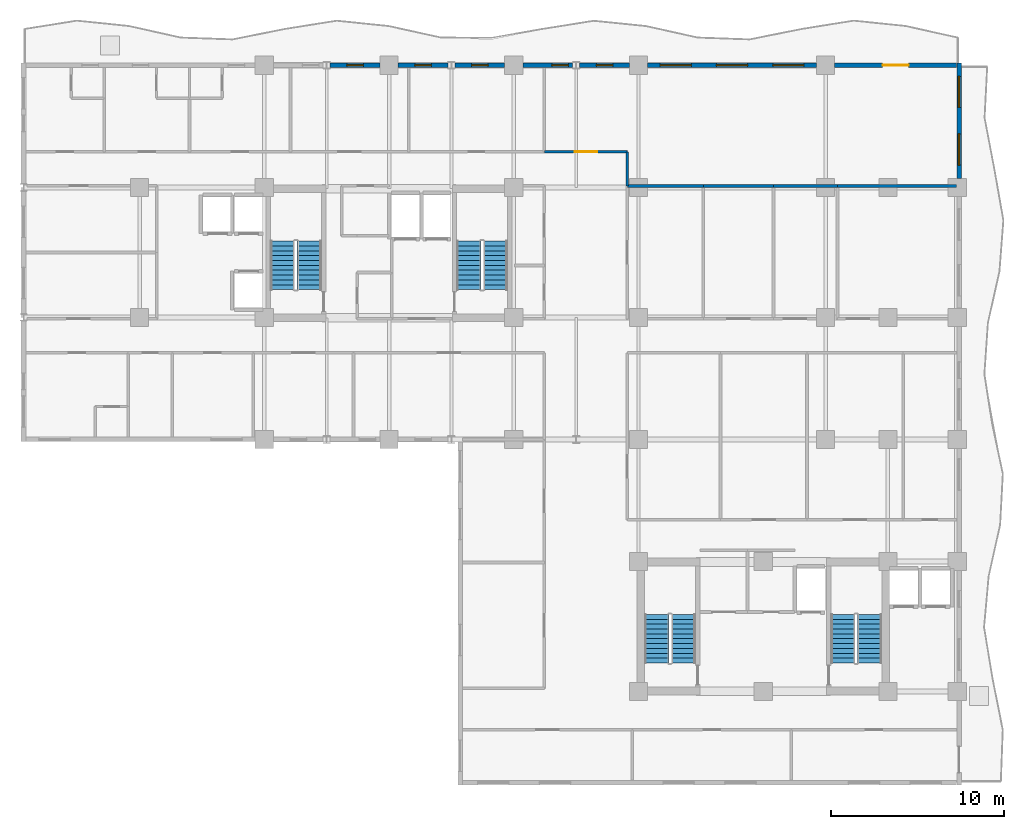
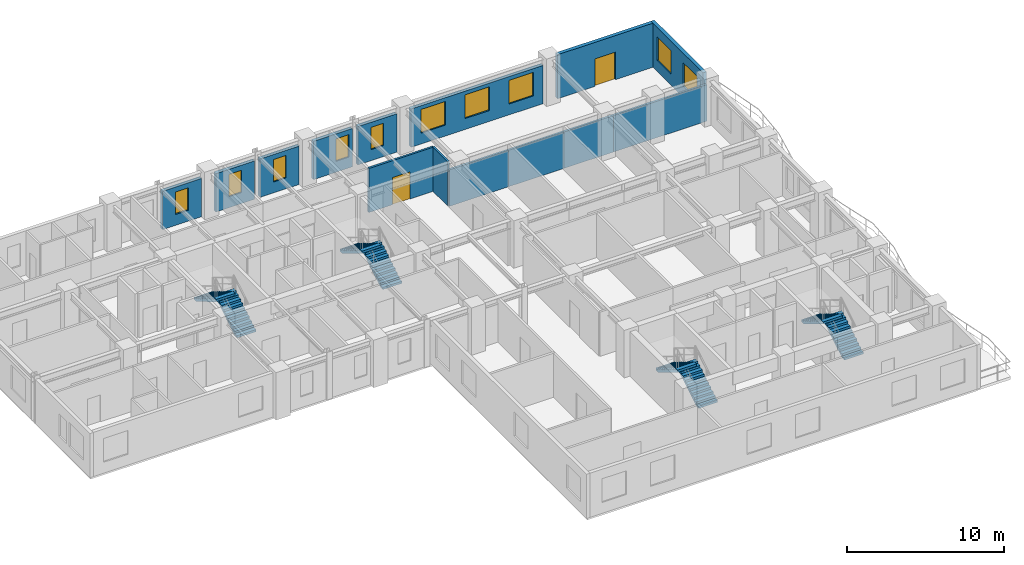
# One storey, part 9 of 13: 14 walls, 10 windows, 8 stair flights, 2 doors, 12 openings, 4 elements without a shape of their own.
"""IFC4 building model written with IfcOpenShell, lengths in metres."""

import ifcopenshell
import ifcopenshell.guid

model = None  # the IFC model being written
_history = None  # IfcOwnerHistory: only IFC2X3 demands one
_inside = {}  # id of a spatial element -> (the spatial element, [elements in it])
_under = {}  # id of a project, library or spatial element -> (it, [spatial elements below it])
_declared = {}  # id of a project -> (the project, [libraries it declares])
_typed = {}  # id of a type object -> (the type object, [elements of that type])
_made_of = {}  # id of a material, layer set ... -> (it, [elements and type objects made of it])


def new_model(schema):
    """Start an empty IFC model of exactly this schema.

    Asked for "IFC4X3", IfcOpenShell would pick the latest addendum, in which some entities
    have other attributes; the version numbers below select the first issue.
    IFC2X3 requires an IfcOwnerHistory on every rooted entity: one is made here for all.
    """
    global model, _history
    if schema == "IFC4X3":
        model = ifcopenshell.file(schema_version=(4, 3, 0, 0))
    else:
        model = ifcopenshell.file(schema=schema)
    _inside.clear()
    _under.clear()
    _declared.clear()
    _typed.clear()
    _made_of.clear()
    _history = None
    if model.schema == "IFC2X3":
        org = make("IfcOrganization", Name="unknown")
        user = make(
            "IfcPersonAndOrganization",
            ThePerson=make("IfcPerson", FamilyName="unknown"),
            TheOrganization=org,
        )
        app = make(
            "IfcApplication",
            ApplicationDeveloper=org,
            Version="unknown",
            ApplicationFullName="unknown",
            ApplicationIdentifier="unknown",
        )
        _history = make(
            "IfcOwnerHistory",
            OwningUser=user,
            OwningApplication=app,
            ChangeAction="ADDED",
            CreationDate=0,
        )
    return model


def make(cls, **values):
    """One entity of the class cls with the attributes given. An attribute that is None is left unset."""
    return model.create_entity(
        cls, **{name: value for name, value in values.items() if value is not None}
    )


def rooted(cls, **values):
    """An entity with a GlobalId (a new one), such as an element, a storey or a relation."""
    return make(cls, GlobalId=ifcopenshell.guid.new(), OwnerHistory=_history, **values)


def si_unit(unit_type, name, prefix=None):
    """IfcSIUnit, for example si_unit("LENGTHUNIT", "METRE", prefix="MILLI")."""
    return make("IfcSIUnit", UnitType=unit_type, Prefix=prefix, Name=name)


def assignment(units):
    """IfcUnitAssignment: the units of a project."""
    return None if units is None else make("IfcUnitAssignment", Units=units)


def point(xyz):
    """IfcCartesianPoint."""
    return None if xyz is None else make("IfcCartesianPoint", Coordinates=xyz)


def direction(xyz):
    """IfcDirection."""
    return None if xyz is None else make("IfcDirection", DirectionRatios=xyz)


def frame(location, z_axis=None, x_axis=None):
    """IfcAxis2Placement3D, a coordinate frame: its origin and axes. An axis left out is left unset."""
    return make(
        "IfcAxis2Placement3D",
        Location=point(location),
        Axis=direction(z_axis),
        RefDirection=direction(x_axis),
    )


def frame_2d(location, x_axis=None):
    """IfcAxis2Placement2D, a coordinate frame in the plane: its origin and x axis."""
    return make(
        "IfcAxis2Placement2D", Location=point(location), RefDirection=direction(x_axis)
    )


def origin():
    """The frame at (0, 0, 0) with its axes left unset."""
    return frame((0.0, 0.0, 0.0))


def place(relative_to, where):
    """IfcLocalPlacement: puts the frame where relative to a parent placement (None: the world)."""
    return make(
        "IfcLocalPlacement", PlacementRelTo=relative_to, RelativePlacement=where
    )


def context(
    kind, dimensions, precision=None, world=None, true_north=None, identifier=None
):
    """IfcGeometricRepresentationContext, for example the 3D "Model" context."""
    return make(
        "IfcGeometricRepresentationContext",
        ContextIdentifier=identifier,
        ContextType=kind,
        CoordinateSpaceDimension=dimensions,
        Precision=precision,
        WorldCoordinateSystem=world,
        TrueNorth=true_north,
    )


def subcontext(parent, identifier, kind, view, scale=None):
    """IfcGeometricRepresentationSubContext, for example "Body" below "Model"."""
    return make(
        "IfcGeometricRepresentationSubContext",
        ContextIdentifier=identifier,
        ContextType=kind,
        ParentContext=parent,
        TargetScale=scale,
        TargetView=view,
    )


def project(units=None, contexts=None):
    """IfcProject with its units and contexts."""
    return rooted(
        "IfcProject",
        Name="project",
        RepresentationContexts=contexts,
        UnitsInContext=assignment(units),
    )


def spatial(cls, under=None, at=None, **own):
    """A site, building, storey or space (cls), placed at a placement, below another one or the project."""
    s = rooted(cls, ObjectPlacement=at, **own)
    if under is not None:
        _under.setdefault(under.id(), (under, []))[1].append(s)
    return s


def polyline(points):
    """IfcPolyline through the points."""
    return make("IfcPolyline", Points=[point(p) for p in points])


def profile(cls, at=None, kind="AREA", **sizes):
    """A parametric profile (cls). Its sizes go by their IFC names, for example OverallWidth=200.0."""
    return make(cls, ProfileType=kind, Position=at, **sizes)


def rectangle(**sizes):
    """IfcRectangleProfileDef."""
    return profile("IfcRectangleProfileDef", **sizes)


def outline(outer, holes=None, kind="AREA"):
    """IfcArbitraryClosedProfileDef: a profile drawn as a closed curve; with holes, ...WithVoids."""
    if holes is None:
        return make("IfcArbitraryClosedProfileDef", ProfileType=kind, OuterCurve=outer)
    return make(
        "IfcArbitraryProfileDefWithVoids",
        ProfileType=kind,
        OuterCurve=outer,
        InnerCurves=holes,
    )


def extrude(swept, where, along, depth):
    """IfcExtrudedAreaSolid: the profile swept, set in the frame where, extruded along a direction by depth."""
    return make(
        "IfcExtrudedAreaSolid",
        SweptArea=swept,
        Position=where,
        ExtrudedDirection=direction(along),
        Depth=depth,
    )


def shape(context_of_items, identifier, shape_type, items):
    """IfcShapeRepresentation: the items that make up one representation, for example the "Body"."""
    return make(
        "IfcShapeRepresentation",
        ContextOfItems=context_of_items,
        RepresentationIdentifier=identifier,
        RepresentationType=shape_type,
        Items=items,
    )


def material(Name=None, Category=None):
    """IfcMaterial."""
    return make("IfcMaterial", Name=Name, Category=Category)


def layer(
    of_material, thickness, ventilated=None, Name=None, Category=None, Priority=None
):
    """IfcMaterialLayer: one layer of a wall or slab, of a material (None: an air gap)."""
    return make(
        "IfcMaterialLayer",
        Material=of_material,
        LayerThickness=thickness,
        IsVentilated=ventilated,
        Name=Name,
        Category=Category,
        Priority=Priority,
    )


def layer_set(layers, Name=None):
    """IfcMaterialLayerSet."""
    return make("IfcMaterialLayerSet", MaterialLayers=layers, LayerSetName=Name)


def made_of(thing, what):
    """Note that an element or type object is made of a material, layer set ...; save() writes the relation."""
    if what is not None:
        _made_of.setdefault(what.id(), (what, []))[1].append(thing)
    return thing


def type_object(cls, material=None, **own):
    """A type object (cls), such as IfcWallType, which elements share."""
    return made_of(rooted(cls, **own), material)


def element(
    cls,
    number,
    at=None,
    inside=None,
    cuts=None,
    type_object=None,
    material=None,
    context=None,
    identifier="Body",
    shape_type=None,
    held_by="IfcProductDefinitionShape",
    body=None,
    shapes=None,
    **own,
):
    """One element of the class cls, such as IfcWall. Its Tag is "e" and its number.

    at: its placement. inside: the storey or other place that contains it. cuts: it is an
    opening in that element (IfcRelVoidsElement). A single representation is given by context,
    identifier, shape_type and body (its items); several are given by shapes. held_by: the class
    of the entity that holds the representations. save() writes the other relations.
    """
    e = rooted(cls, Tag="e%d" % number, ObjectPlacement=at, **own)
    if body is not None:
        shapes = [shape(context, identifier, shape_type, body)]
    if shapes is not None:
        e.Representation = make(held_by, Representations=shapes)
    if inside is not None:
        _inside.setdefault(inside.id(), (inside, []))[1].append(e)
    if cuts is not None:
        rooted(
            "IfcRelVoidsElement", RelatingBuildingElement=cuts, RelatedOpeningElement=e
        )
    if type_object is not None:
        _typed.setdefault(type_object.id(), (type_object, []))[1].append(e)
    return made_of(e, material)


def fill(opening, filler):
    """IfcRelFillsElement: the door or window that sits in an opening."""
    return rooted(
        "IfcRelFillsElement",
        RelatingOpeningElement=opening,
        RelatedBuildingElement=filler,
    )


def aggregate(whole, parts):
    """IfcRelAggregates: a whole, such as a stair, and the parts it consists of."""
    return rooted("IfcRelAggregates", RelatingObject=whole, RelatedObjects=parts)


def save(model, path):
    """Write the relations noted so far, then the file.

    IfcRelAggregates (storeys below a building ...), IfcRelContainedInSpatialStructure (elements
    in a storey), IfcRelDefinesByType, IfcRelAssociatesMaterial and IfcRelDeclares: one each for
    every whole, place, type object, material and project.
    """
    for whole, parts in _under.values():
        aggregate(whole, parts)
    for where, things in _inside.values():
        rooted(
            "IfcRelContainedInSpatialStructure",
            RelatedElements=things,
            RelatingStructure=where,
        )
    for kind, things in _typed.values():
        rooted("IfcRelDefinesByType", RelatedObjects=things, RelatingType=kind)
    for what, things in _made_of.values():
        rooted("IfcRelAssociatesMaterial", RelatedObjects=things, RelatingMaterial=what)
    for by, libraries in _declared.values():
        rooted("IfcRelDeclares", RelatingContext=by, RelatedDefinitions=libraries)
    model.write(path)


model = new_model("IFC4")

# Units and contexts
model_context = context("Model", 3, precision=1e-05, world=origin(), true_north=direction((0.0, 1.0)))
body_context = subcontext(model_context, "Body", "Model", "MODEL_VIEW")
ifc_project = project(units=[si_unit("LENGTHUNIT", "METRE"), si_unit("AREAUNIT", "SQUARE_METRE"), si_unit("VOLUMEUNIT", "CUBIC_METRE"), si_unit("PLANEANGLEUNIT", "RADIAN"), si_unit("MASSUNIT", "GRAM", prefix="KILO")], contexts=[model_context])

# Site, building, storey
site_placement = place(None, origin())
site = spatial("IfcSite", under=ifc_project, at=site_placement, CompositionType="ELEMENT")
building_placement = place(site_placement, origin())
building = spatial("IfcBuilding", under=site, at=building_placement, Name="Kaliganga Portal Commons", CompositionType="ELEMENT")
storey_placement = place(building_placement, frame((0.0, 0.0, 162.39990234375)))
storey = spatial("IfcBuildingStorey", under=building, at=storey_placement, Name="L41", CompositionType="ELEMENT", Elevation=162.39990234375)

# Wall, openings, windows
ifc_material_1 = material(Name="Insulated Aluminium-Clad Spandrel Assembly", Category="aluminium")
ifc_layer_1 = layer(ifc_material_1, 0.260009765625)
ifc_layer_set_1 = layer_set([ifc_layer_1], Name="Insulated Aluminium-Clad Spandrel Assembly")
wall_type_1 = type_object("IfcWallType", Name="WL-EXT-SPAND-260", PredefinedType="STANDARD", material=ifc_layer_set_1)
wall_1_placement = place(storey_placement, frame((54.5, 43.330078125, 0.0), z_axis=(0.0, 0.0, 1.0), x_axis=(0.0, -1.0, 0.0)))
wall_1 = element("IfcWall", 1, at=wall_1_placement, inside=storey, type_object=wall_type_1, Name="Exterior Envelope Wall L41 P1-E01-S6", PredefinedType="STANDARD", context=body_context, shape_type="SweptSolid", body=[
    extrude(rectangle(XDim=6.654052734375, YDim=0.260009765625, at=frame_2d((3.3271484375, 0.0))), origin(), (0.0, 0.0, 1.0), 3.440185546875),
])
opening_1_placement = place(wall_1_placement, frame((0.763427734375, 0.0, 0.85009765625)))
opening_1 = element("IfcOpeningElement", 2, at=opening_1_placement, cuts=wall_1, Name="Opening W-01", PredefinedType="OPENING", context=body_context, shape_type="SweptSolid", body=[
    extrude(rectangle(XDim=1.800048828125, YDim=1.85009765625, at=frame_2d((0.89990234375, 0.925048828125))), frame((0.0, 0.14013671875, 0.0), z_axis=(0.0, -1.0, 0.0), x_axis=(1.0, 0.0, 0.0)), (0.0, 0.0, 1.0), 0.280029296875),
])
opening_2_placement = place(wall_1_placement, frame((4.090576171875, 0.0, 0.85009765625)))
opening_2 = element("IfcOpeningElement", 3, at=opening_2_placement, cuts=wall_1, Name="Opening W-01", PredefinedType="OPENING", context=body_context, shape_type="SweptSolid", body=[
    extrude(rectangle(XDim=1.800048828125, YDim=1.85009765625, at=frame_2d((0.89990234375, 0.925048828125))), frame((0.0, 0.14013671875, 0.0), z_axis=(0.0, -1.0, 0.0), x_axis=(1.0, 0.0, 0.0)), (0.0, 0.0, 1.0), 0.280029296875),
])
ifc_material_2 = material(Name="Thermally Broken Aluminium and Low-E Double Glazing", Category="aluminium")
window_type_1 = type_object("IfcWindowType", Name="WIN-STD-1800", PartitioningType="DOUBLE_PANEL_VERTICAL", PredefinedType="WINDOW", material=ifc_material_2)
window_1_placement = place(opening_1_placement, origin())
window_1 = element("IfcWindow", 4, at=window_1_placement, inside=storey, type_object=window_type_1, Name="Facade Window L41-P1E01S6-00", OverallHeight=1.85009765625, OverallWidth=1.800048828125, PartitioningType="SINGLE_PANEL", PredefinedType="WINDOW", context=body_context, shape_type="SweptSolid", body=[
    extrude(rectangle(XDim=1.800048828125, YDim=1.85009765625, at=frame_2d((0.89990234375, 0.925048828125))), frame((0.0, 0.030029296875, 0.0), z_axis=(0.0, -1.0, 0.0), x_axis=(1.0, 0.0, 0.0)), (0.0, 0.0, 1.0), 0.06005859375),
])
fill(opening_1, window_1)
window_2_placement = place(opening_2_placement, origin())
window_2 = element("IfcWindow", 5, at=window_2_placement, inside=storey, type_object=window_type_1, Name="Facade Window L41-P1E01S6-01", OverallHeight=1.85009765625, OverallWidth=1.800048828125, PartitioningType="SINGLE_PANEL", PredefinedType="WINDOW", context=body_context, shape_type="SweptSolid", body=[
    extrude(rectangle(XDim=1.800048828125, YDim=1.85009765625, at=frame_2d((0.89990234375, 0.925048828125))), frame((0.0, 0.030029296875, 0.0), z_axis=(0.0, -1.0, 0.0), x_axis=(1.0, 0.0, 0.0)), (0.0, 0.0, 1.0), 0.06005859375),
])
fill(opening_2, window_2)

# Wall, opening, door
wall_2_placement = place(storey_placement, frame((47.325927734375, 43.199951171875, 0.0), z_axis=(0.0, 0.0, 1.0), x_axis=(1.0, 0.0, 0.0)))
wall_2 = element("IfcWall", 6, at=wall_2_placement, inside=storey, type_object=wall_type_1, Name="Exterior Envelope Wall L41 P1-E02-S1", PredefinedType="STANDARD", context=body_context, shape_type="SweptSolid", body=[
    extrude(rectangle(XDim=7.0390625, YDim=0.260009765625, at=frame_2d((3.51953125, 0.0))), origin(), (0.0, 0.0, 1.0), 3.440185546875),
])
opening_3_placement = place(wall_2_placement, frame((2.77001953125, 0.0, 0.0)))
opening_3 = element("IfcOpeningElement", 7, at=opening_3_placement, cuts=wall_2, Name="Opening BD-01", PredefinedType="OPENING", context=body_context, shape_type="SweptSolid", body=[
    extrude(rectangle(XDim=1.5, YDim=2.14990234375, at=frame_2d((0.75, 1.074951171875))), frame((0.0, 0.14013671875, 0.0), z_axis=(0.0, -1.0, 0.0), x_axis=(1.0, 0.0, 0.0)), (0.0, 0.0, 1.0), 0.280029296875),
])
ifc_material_3 = material(Name="Anodized Aluminium and Laminated Safety Glass", Category="aluminium")
door_type_1 = type_object("IfcDoorType", Name="DR-BALC-1500", OperationType="SLIDING_TO_LEFT", PredefinedType="DOOR", material=ifc_material_3)
door_1_placement = place(opening_3_placement, origin())
door_1 = element("IfcDoor", 8, at=door_1_placement, inside=storey, type_object=door_type_1, Name="Balcony Sliding Door L41 balc_north", OperationType="SLIDING_TO_LEFT", OverallHeight=2.14990234375, OverallWidth=1.5, PredefinedType="DOOR", context=body_context, shape_type="SweptSolid", body=[
    extrude(rectangle(XDim=1.5, YDim=2.14990234375, at=frame_2d((0.75, 1.074951171875))), frame((0.0, 0.02490234375, 0.0), z_axis=(0.0, -1.0, 0.0), x_axis=(1.0, 0.0, 0.0)), (0.0, 0.0, 1.0), 0.050048828125),
])
fill(opening_3, door_1)

# Wall, openings, windows
wall_3_placement = place(storey_placement, frame((36.52587890625, 43.199951171875, 0.0), z_axis=(0.0, 0.0, 1.0), x_axis=(1.0, 0.0, 0.0)))
wall_3 = element("IfcWall", 9, at=wall_3_placement, inside=storey, type_object=wall_type_1, Name="Exterior Envelope Wall L41 P1-E02-S2", PredefinedType="STANDARD", context=body_context, shape_type="SweptSolid", body=[
    extrude(rectangle(XDim=9.748046875, YDim=0.260009765625, at=frame_2d((4.8740234375, 0.0))), origin(), (0.0, 0.0, 1.0), 2.989990234375),
])
opening_4_placement = place(wall_3_placement, frame((0.724609375, 0.0, 0.85009765625)))
opening_4 = element("IfcOpeningElement", 10, at=opening_4_placement, cuts=wall_3, Name="Opening W-01", PredefinedType="OPENING", context=body_context, shape_type="SweptSolid", body=[
    extrude(rectangle(XDim=1.800048828125, YDim=1.85009765625, at=frame_2d((0.89990234375, 0.925048828125))), frame((0.0, 0.14013671875, 0.0), z_axis=(0.0, -1.0, 0.0), x_axis=(1.0, 0.0, 0.0)), (0.0, 0.0, 1.0), 0.280029296875),
])
opening_5_placement = place(wall_3_placement, frame((3.97412109375, 0.0, 0.85009765625)))
opening_5 = element("IfcOpeningElement", 11, at=opening_5_placement, cuts=wall_3, Name="Opening W-01", PredefinedType="OPENING", context=body_context, shape_type="SweptSolid", body=[
    extrude(rectangle(XDim=1.800048828125, YDim=1.85009765625, at=frame_2d((0.89990234375, 0.925048828125))), frame((0.0, 0.14013671875, 0.0), z_axis=(0.0, -1.0, 0.0), x_axis=(1.0, 0.0, 0.0)), (0.0, 0.0, 1.0), 0.280029296875),
])
opening_6_placement = place(wall_3_placement, frame((7.223388671875, 0.0, 0.85009765625)))
opening_6 = element("IfcOpeningElement", 12, at=opening_6_placement, cuts=wall_3, Name="Opening W-01", PredefinedType="OPENING", context=body_context, shape_type="SweptSolid", body=[
    extrude(rectangle(XDim=1.800048828125, YDim=1.85009765625, at=frame_2d((0.89990234375, 0.925048828125))), frame((0.0, 0.14013671875, 0.0), z_axis=(0.0, -1.0, 0.0), x_axis=(1.0, 0.0, 0.0)), (0.0, 0.0, 1.0), 0.280029296875),
])
window_3_placement = place(opening_4_placement, origin())
window_3 = element("IfcWindow", 13, at=window_3_placement, inside=storey, type_object=window_type_1, Name="Facade Window L41-P1E02S2-00", OverallHeight=1.85009765625, OverallWidth=1.800048828125, PartitioningType="SINGLE_PANEL", PredefinedType="WINDOW", context=body_context, shape_type="SweptSolid", body=[
    extrude(rectangle(XDim=1.800048828125, YDim=1.85009765625, at=frame_2d((0.89990234375, 0.925048828125))), frame((0.0, 0.030029296875, 0.0), z_axis=(0.0, -1.0, 0.0), x_axis=(1.0, 0.0, 0.0)), (0.0, 0.0, 1.0), 0.06005859375),
])
fill(opening_4, window_3)
window_4_placement = place(opening_5_placement, origin())
window_4 = element("IfcWindow", 14, at=window_4_placement, inside=storey, type_object=window_type_1, Name="Facade Window L41-P1E02S2-01", OverallHeight=1.85009765625, OverallWidth=1.800048828125, PartitioningType="SINGLE_PANEL", PredefinedType="WINDOW", context=body_context, shape_type="SweptSolid", body=[
    extrude(rectangle(XDim=1.800048828125, YDim=1.85009765625, at=frame_2d((0.89990234375, 0.925048828125))), frame((0.0, 0.030029296875, 0.0), z_axis=(0.0, -1.0, 0.0), x_axis=(1.0, 0.0, 0.0)), (0.0, 0.0, 1.0), 0.06005859375),
])
fill(opening_5, window_4)
window_5_placement = place(opening_6_placement, origin())
window_5 = element("IfcWindow", 15, at=window_5_placement, inside=storey, type_object=window_type_1, Name="Facade Window L41-P1E02S2-02", OverallHeight=1.85009765625, OverallWidth=1.800048828125, PartitioningType="SINGLE_PANEL", PredefinedType="WINDOW", context=body_context, shape_type="SweptSolid", body=[
    extrude(rectangle(XDim=1.800048828125, YDim=1.85009765625, at=frame_2d((0.89990234375, 0.925048828125))), frame((0.0, 0.030029296875, 0.0), z_axis=(0.0, -1.0, 0.0), x_axis=(1.0, 0.0, 0.0)), (0.0, 0.0, 1.0), 0.06005859375),
])
fill(opening_6, window_5)

# Wall, opening, window
wall_4_placement = place(storey_placement, frame((32.60302734375, 43.199951171875, 0.0), z_axis=(0.0, 0.0, 1.0), x_axis=(1.0, 0.0, 0.0)))
wall_4 = element("IfcWall", 16, at=wall_4_placement, inside=storey, type_object=wall_type_1, Name="Exterior Envelope Wall L41 P1-E02-S3", PredefinedType="STANDARD", context=body_context, shape_type="SweptSolid", body=[
    extrude(rectangle(XDim=2.87109375, YDim=0.260009765625, at=frame_2d((1.435546875, 0.0))), origin(), (0.0, 0.0, 1.0), 2.989990234375),
])
opening_7_placement = place(wall_4_placement, frame((0.96044921875, 0.0, 0.85009765625)))
opening_7 = element("IfcOpeningElement", 17, at=opening_7_placement, cuts=wall_4, Name="Opening W-04", PredefinedType="OPENING", context=body_context, shape_type="SweptSolid", body=[
    extrude(rectangle(XDim=0.949951171875, YDim=1.75, at=frame_2d((0.47509765625, 0.875))), frame((0.0, 0.14013671875, 0.0), z_axis=(0.0, -1.0, 0.0), x_axis=(1.0, 0.0, 0.0)), (0.0, 0.0, 1.0), 0.280029296875),
])
window_type_2 = type_object("IfcWindowType", Name="WIN-NARROW-950", PartitioningType="SINGLE_PANEL", PredefinedType="WINDOW", material=ifc_material_2)
window_6_placement = place(opening_7_placement, origin())
window_6 = element("IfcWindow", 18, at=window_6_placement, inside=storey, type_object=window_type_2, Name="Facade Window L41-P1E02S3-00", OverallHeight=1.75, OverallWidth=0.949951171875, PartitioningType="SINGLE_PANEL", PredefinedType="WINDOW", context=body_context, shape_type="SweptSolid", body=[
    extrude(rectangle(XDim=0.949951171875, YDim=1.75, at=frame_2d((0.47509765625, 0.875))), frame((0.0, 0.030029296875, 0.0), z_axis=(0.0, -1.0, 0.0), x_axis=(1.0, 0.0, 0.0)), (0.0, 0.0, 1.0), 0.06005859375),
])
fill(opening_7, window_6)

wall_5_placement = place(storey_placement, frame((29.325927734375, 43.199951171875, 0.0), z_axis=(0.0, 0.0, 1.0), x_axis=(1.0, 0.0, 0.0)))
wall_5 = element("IfcWall", 19, at=wall_5_placement, inside=storey, type_object=wall_type_1, Name="Exterior Envelope Wall L41 P1-E02-S4", PredefinedType="STANDARD", context=body_context, shape_type="SweptSolid", body=[
    extrude(rectangle(XDim=2.87109375, YDim=0.260009765625, at=frame_2d((1.435546875, 0.0))), origin(), (0.0, 0.0, 1.0), 2.989990234375),
])
opening_8_placement = place(wall_5_placement, frame((1.672607421875, 0.0, 0.85009765625)))
opening_8 = element("IfcOpeningElement", 20, at=opening_8_placement, cuts=wall_5, Name="Opening W-04", PredefinedType="OPENING", context=body_context, shape_type="SweptSolid", body=[
    extrude(rectangle(XDim=0.949951171875, YDim=1.75, at=frame_2d((0.47509765625, 0.875))), frame((0.0, 0.14013671875, 0.0), z_axis=(0.0, -1.0, 0.0), x_axis=(1.0, 0.0, 0.0)), (0.0, 0.0, 1.0), 0.280029296875),
])
window_7_placement = place(opening_8_placement, origin())
window_7 = element("IfcWindow", 21, at=window_7_placement, inside=storey, type_object=window_type_2, Name="Facade Window L41-P1E02S4-N2", OverallHeight=1.75, OverallWidth=0.949951171875, PartitioningType="SINGLE_PANEL", PredefinedType="WINDOW", context=body_context, shape_type="SweptSolid", body=[
    extrude(rectangle(XDim=0.949951171875, YDim=1.75, at=frame_2d((0.47509765625, 0.875))), frame((0.0, 0.030029296875, 0.0), z_axis=(0.0, -1.0, 0.0), x_axis=(1.0, 0.0, 0.0)), (0.0, 0.0, 1.0), 0.06005859375),
])
fill(opening_8, window_7)

wall_6_placement = place(storey_placement, frame((25.403076171875, 43.199951171875, 0.0), z_axis=(0.0, 0.0, 1.0), x_axis=(1.0, 0.0, 0.0)))
wall_6 = element("IfcWall", 22, at=wall_6_placement, inside=storey, type_object=wall_type_1, Name="Exterior Envelope Wall L41 P1-E02-S5", PredefinedType="STANDARD", context=body_context, shape_type="SweptSolid", body=[
    extrude(rectangle(XDim=2.870849609375, YDim=0.260009765625, at=frame_2d((1.435546875, 0.0))), origin(), (0.0, 0.0, 1.0), 2.989990234375),
])
opening_9_placement = place(wall_6_placement, frame((0.96044921875, 0.0, 0.85009765625)))
opening_9 = element("IfcOpeningElement", 23, at=opening_9_placement, cuts=wall_6, Name="Opening W-04", PredefinedType="OPENING", context=body_context, shape_type="SweptSolid", body=[
    extrude(rectangle(XDim=0.949951171875, YDim=1.75, at=frame_2d((0.47509765625, 0.875))), frame((0.0, 0.14013671875, 0.0), z_axis=(0.0, -1.0, 0.0), x_axis=(1.0, 0.0, 0.0)), (0.0, 0.0, 1.0), 0.280029296875),
])
window_8_placement = place(opening_9_placement, origin())
window_8 = element("IfcWindow", 24, at=window_8_placement, inside=storey, type_object=window_type_2, Name="Facade Window L41-P1E02S5-00", OverallHeight=1.75, OverallWidth=0.949951171875, PartitioningType="SINGLE_PANEL", PredefinedType="WINDOW", context=body_context, shape_type="SweptSolid", body=[
    extrude(rectangle(XDim=0.949951171875, YDim=1.75, at=frame_2d((0.47509765625, 0.875))), frame((0.0, 0.030029296875, 0.0), z_axis=(0.0, -1.0, 0.0), x_axis=(1.0, 0.0, 0.0)), (0.0, 0.0, 1.0), 0.06005859375),
])
fill(opening_9, window_8)

wall_7_placement = place(storey_placement, frame((22.1259765625, 43.199951171875, 0.0), z_axis=(0.0, 0.0, 1.0), x_axis=(1.0, 0.0, 0.0)))
wall_7 = element("IfcWall", 25, at=wall_7_placement, inside=storey, type_object=wall_type_1, Name="Exterior Envelope Wall L41 P1-E02-S6", PredefinedType="STANDARD", context=body_context, shape_type="SweptSolid", body=[
    extrude(rectangle(XDim=2.87109375, YDim=0.260009765625, at=frame_2d((1.435546875, 0.0))), origin(), (0.0, 0.0, 1.0), 2.989990234375),
])
opening_10_placement = place(wall_7_placement, frame((0.96044921875, 0.0, 0.85009765625)))
opening_10 = element("IfcOpeningElement", 26, at=opening_10_placement, cuts=wall_7, Name="Opening W-04", PredefinedType="OPENING", context=body_context, shape_type="SweptSolid", body=[
    extrude(rectangle(XDim=0.949951171875, YDim=1.75, at=frame_2d((0.47509765625, 0.875))), frame((0.0, 0.14013671875, 0.0), z_axis=(0.0, -1.0, 0.0), x_axis=(1.0, 0.0, 0.0)), (0.0, 0.0, 1.0), 0.280029296875),
])
window_9_placement = place(opening_10_placement, origin())
window_9 = element("IfcWindow", 27, at=window_9_placement, inside=storey, type_object=window_type_2, Name="Facade Window L41-P1E02S6-00", OverallHeight=1.75, OverallWidth=0.949951171875, PartitioningType="SINGLE_PANEL", PredefinedType="WINDOW", context=body_context, shape_type="SweptSolid", body=[
    extrude(rectangle(XDim=0.949951171875, YDim=1.75, at=frame_2d((0.47509765625, 0.875))), frame((0.0, 0.030029296875, 0.0), z_axis=(0.0, -1.0, 0.0), x_axis=(1.0, 0.0, 0.0)), (0.0, 0.0, 1.0), 0.06005859375),
])
fill(opening_10, window_9)

wall_8_placement = place(storey_placement, frame((18.202880859375, 43.199951171875, 0.0), z_axis=(0.0, 0.0, 1.0), x_axis=(1.0, 0.0, 0.0)))
wall_8 = element("IfcWall", 28, at=wall_8_placement, inside=storey, type_object=wall_type_1, Name="Exterior Envelope Wall L41 P1-E02-S7", PredefinedType="STANDARD", context=body_context, shape_type="SweptSolid", body=[
    extrude(rectangle(XDim=2.87109375, YDim=0.260009765625, at=frame_2d((1.435546875, 0.0))), origin(), (0.0, 0.0, 1.0), 2.989990234375),
])
opening_11_placement = place(wall_8_placement, frame((0.96044921875, 0.0, 0.85009765625)))
opening_11 = element("IfcOpeningElement", 29, at=opening_11_placement, cuts=wall_8, Name="Opening W-04", PredefinedType="OPENING", context=body_context, shape_type="SweptSolid", body=[
    extrude(rectangle(XDim=0.949951171875, YDim=1.75, at=frame_2d((0.47509765625, 0.875))), frame((0.0, 0.14013671875, 0.0), z_axis=(0.0, -1.0, 0.0), x_axis=(1.0, 0.0, 0.0)), (0.0, 0.0, 1.0), 0.280029296875),
])
window_10_placement = place(opening_11_placement, origin())
window_10 = element("IfcWindow", 30, at=window_10_placement, inside=storey, type_object=window_type_2, Name="Facade Window L41-P1E02S7-00", OverallHeight=1.75, OverallWidth=0.949951171875, PartitioningType="SINGLE_PANEL", PredefinedType="WINDOW", context=body_context, shape_type="SweptSolid", body=[
    extrude(rectangle(XDim=0.949951171875, YDim=1.75, at=frame_2d((0.47509765625, 0.875))), frame((0.0, 0.030029296875, 0.0), z_axis=(0.0, -1.0, 0.0), x_axis=(1.0, 0.0, 0.0)), (0.0, 0.0, 1.0), 0.06005859375),
])
fill(opening_11, window_10)

# Wall, opening, door
ifc_material_4 = material(Name="Fire-Rated Gypsum Board on Steel Stud", Category="steel")
ifc_layer_2 = layer(ifc_material_4, 0.14990234375)
ifc_layer_set_2 = layer_set([ifc_layer_2], Name="Fire-Rated Gypsum Board on Steel Stud")
wall_type_2 = type_object("IfcWallType", Name="WL-PART-CORR-150", PredefinedType="PARTITIONING", material=ifc_layer_set_2)
wall_9_placement = place(storey_placement, frame((30.56005859375, 38.199951171875, 0.0), z_axis=(0.0, 0.0, 1.0), x_axis=(1.0, 0.0, 0.0)))
wall_9 = element("IfcWall", 31, at=wall_9_placement, inside=storey, type_object=wall_type_2, Name="Interior Partition L41-040", PredefinedType="PARTITIONING", context=body_context, shape_type="SweptSolid", body=[
    extrude(rectangle(XDim=4.800048828125, YDim=0.14990234375, at=frame_2d((2.39990234375, 0.0))), origin(), (0.0, 0.0, 1.0), 3.440185546875),
])
opening_12_placement = place(wall_9_placement, frame((1.75, 0.0, 0.0)))
opening_12 = element("IfcOpeningElement", 32, at=opening_12_placement, cuts=wall_9, Name="Opening RD-03", PredefinedType="OPENING", context=body_context, shape_type="SweptSolid", body=[
    extrude(rectangle(XDim=1.300048828125, YDim=2.1201171875, at=frame_2d((0.64990234375, 1.06005859375))), frame((0.0, 0.0849609375, 0.0), z_axis=(0.0, -1.0, 0.0), x_axis=(1.0, 0.0, 0.0)), (0.0, 0.0, 1.0), 0.169921875),
])
ifc_material_5 = material(Name="Glazed Timber Seminar Vision Door", Category="wood")
door_type_2 = type_object("IfcDoorType", Name="DR-STUDY-1300", OperationType="DOUBLE_DOOR_SINGLE_SWING", PredefinedType="DOOR", material=ifc_material_5)
door_2_placement = place(opening_12_placement, origin())
door_2 = element("IfcDoor", 33, at=door_2_placement, inside=storey, type_object=door_type_2, Name="Interior Door L41-ANE01", OperationType="DOUBLE_DOOR_SINGLE_SWING", OverallHeight=2.1201171875, OverallWidth=1.300048828125, PredefinedType="DOOR", context=body_context, shape_type="SweptSolid", body=[
    extrude(rectangle(XDim=1.300048828125, YDim=2.1201171875, at=frame_2d((0.64990234375, 1.06005859375))), frame((0.0, 0.02490234375, 0.0), z_axis=(0.0, -1.0, 0.0), x_axis=(1.0, 0.0, 0.0)), (0.0, 0.0, 1.0), 0.050048828125),
])
fill(opening_12, door_2)

# Walls
wall_10_placement = place(storey_placement, frame((35.360107421875, 36.239990234375, 0.0), z_axis=(0.0, 0.0, 1.0), x_axis=(0.0, 1.0, 0.0)))
element("IfcWall", 34, at=wall_10_placement, inside=storey, type_object=wall_type_2, Name="Interior Partition L41-063", PredefinedType="PARTITIONING", context=body_context, shape_type="SweptSolid", body=[
    extrude(rectangle(XDim=1.9599609375, YDim=0.14990234375, at=frame_2d((0.97998046875, 0.0))), origin(), (0.0, 0.0, 1.0), 3.440185546875),
])
ifc_material_6 = material(Name="Twin-Stud Acoustic Gypsum Partition", Category="gypsum")
ifc_layer_3 = layer(ifc_material_6, 0.1650390625)
ifc_layer_set_3 = layer_set([ifc_layer_3], Name="Twin-Stud Acoustic Gypsum Partition")
wall_type_3 = type_object("IfcWallType", Name="WL-PART-UNIT-165", PredefinedType="PARTITIONING", material=ifc_layer_set_3)
wall_11_placement = place(storey_placement, frame((47.47998046875, 36.239990234375, 0.0), z_axis=(0.0, 0.0, 1.0), x_axis=(1.0, 0.0, 0.0)))
element("IfcWall", 35, at=wall_11_placement, inside=storey, type_object=wall_type_3, Name="Interior Partition L41-075", PredefinedType="PARTITIONING", context=body_context, shape_type="SweptSolid", body=[
    extrude(rectangle(XDim=6.887939453125, YDim=0.1650390625, at=frame_2d((3.44384765625, 0.0))), origin(), (0.0, 0.0, 1.0), 2.840087890625),
])
wall_12_placement = place(storey_placement, frame((35.360107421875, 36.239990234375, 0.0), z_axis=(0.0, 0.0, 1.0), x_axis=(1.0, 0.0, 0.0)))
element("IfcWall", 36, at=wall_12_placement, inside=storey, type_object=wall_type_3, Name="Interior Partition L41-084", PredefinedType="PARTITIONING", context=body_context, shape_type="SweptSolid", body=[
    extrude(rectangle(XDim=4.3798828125, YDim=0.1650390625, at=frame_2d((2.18994140625, 0.0))), origin(), (0.0, 0.0, 1.0), 2.840087890625),
])
wall_13_placement = place(storey_placement, frame((39.739990234375, 36.239990234375, 0.0), z_axis=(0.0, 0.0, 1.0), x_axis=(1.0, 0.0, 0.0)))
element("IfcWall", 37, at=wall_13_placement, inside=storey, type_object=wall_type_3, Name="Interior Partition L41-085", PredefinedType="PARTITIONING", context=body_context, shape_type="SweptSolid", body=[
    extrude(rectangle(XDim=4.06005859375, YDim=0.1650390625, at=frame_2d((2.030029296875, 0.0))), origin(), (0.0, 0.0, 1.0), 2.840087890625),
])
wall_14_placement = place(storey_placement, frame((43.800048828125, 36.239990234375, 0.0), z_axis=(0.0, 0.0, 1.0), x_axis=(1.0, 0.0, 0.0)))
element("IfcWall", 38, at=wall_14_placement, inside=storey, type_object=wall_type_3, Name="Interior Partition L41-086", PredefinedType="PARTITIONING", context=body_context, shape_type="SweptSolid", body=[
    extrude(rectangle(XDim=3.679931640625, YDim=0.1650390625, at=frame_2d((1.83984375, 0.0))), origin(), (0.0, 0.0, 1.0), 2.840087890625),
])

# Stair, stair flights
ifc_material_7 = material(Name="Concrete C40/50", Category="concrete")
stair_type = type_object("IfcStairType", Name="ST-CORE-DOGLEG", PredefinedType="HALF_TURN_STAIR", material=ifc_material_7)
stair_1_placement = place(storey_placement, origin())
stair_1 = element("IfcStair", 39, at=stair_1_placement, inside=storey, type_object=stair_type, Name="L41 Protected Exit Stair ST-A1", PredefinedType="HALF_TURN_STAIR")
stair_flight_type = type_object("IfcStairFlightType", Name="STF-RC-1400", PredefinedType="STRAIGHT", material=ifc_material_7)
stair_flight_1_placement = place(storey_placement, frame((17.0, 30.25, 0.0), z_axis=(0.0, 0.0, 1.0), x_axis=(0.0, 1.0, 0.0)))
stair_flight_1 = element("IfcStairFlight", 40, at=stair_flight_1_placement, type_object=stair_flight_type, Name="ST-A1 flight 1", NumberOfRisers=11, NumberOfTreads=10, PredefinedType="STRAIGHT", RiserHeight=0.168181818, TreadLength=0.28, context=body_context, shape_type="SweptSolid", body=[
    extrude(outline(polyline([(0.0, 0.0), (0.0, 0.168212890625), (0.280029296875, 0.168212890625), (0.280029296875, 0.33642578125), (0.56005859375, 0.33642578125), (0.56005859375, 0.504638671875), (0.840087890625, 0.504638671875), (0.840087890625, 0.672607421875), (1.1201171875, 0.672607421875), (1.1201171875, 0.8408203125), (1.39990234375, 0.8408203125), (1.39990234375, 1.009033203125), (1.679931640625, 1.009033203125), (1.679931640625, 1.17724609375), (1.9599609375, 1.17724609375), (1.9599609375, 1.345458984375), (2.239990234375, 1.345458984375), (2.239990234375, 1.513671875), (2.52001953125, 1.513671875), (2.52001953125, 1.681884765625), (2.800048828125, 1.681884765625), (2.800048828125, 1.85009765625), (2.800048828125, 1.5068359375), (0.291015625, 0.0), (0.0, 0.0)])), frame((0.0, 0.699951171875, 0.0), z_axis=(0.0, -1.0, 0.0), x_axis=(1.0, 0.0, 0.0)), (0.0, 0.0, 1.0), 1.39990234375),
])
stair_flight_2_placement = place(storey_placement, frame((15.449951171875, 33.050048828125, 1.85009765625), z_axis=(0.0, 0.0, 1.0), x_axis=(0.0, -1.0, 0.0)))
stair_flight_2 = element("IfcStairFlight", 41, at=stair_flight_2_placement, type_object=stair_flight_type, Name="ST-A1 flight 2", NumberOfRisers=11, NumberOfTreads=10, PredefinedType="STRAIGHT", RiserHeight=0.168181818, TreadLength=0.28, context=body_context, shape_type="SweptSolid", body=[
    extrude(outline(polyline([(0.0, 0.0), (0.0, 0.168212890625), (0.280029296875, 0.168212890625), (0.280029296875, 0.33642578125), (0.56005859375, 0.33642578125), (0.56005859375, 0.504638671875), (0.840087890625, 0.504638671875), (0.840087890625, 0.672607421875), (1.1201171875, 0.672607421875), (1.1201171875, 0.8408203125), (1.39990234375, 0.8408203125), (1.39990234375, 1.009033203125), (1.679931640625, 1.009033203125), (1.679931640625, 1.17724609375), (1.9599609375, 1.17724609375), (1.9599609375, 1.345458984375), (2.239990234375, 1.345458984375), (2.239990234375, 1.513671875), (2.52001953125, 1.513671875), (2.52001953125, 1.681884765625), (2.800048828125, 1.681884765625), (2.800048828125, 1.85009765625), (2.800048828125, 1.5068359375), (0.291015625, 0.0), (0.0, 0.0)])), frame((0.0, 0.699951171875, 0.0), z_axis=(0.0, -1.0, 0.0), x_axis=(1.0, 0.0, 0.0)), (0.0, 0.0, 1.0), 1.39990234375),
])
aggregate(stair_1, [stair_flight_1, stair_flight_2])

stair_2_placement = place(storey_placement, origin())
stair_2 = element("IfcStair", 42, at=stair_2_placement, inside=storey, type_object=stair_type, Name="L41 Protected Exit Stair ST-A2", PredefinedType="HALF_TURN_STAIR")
stair_flight_3_placement = place(storey_placement, frame((27.75, 30.25, 0.0), z_axis=(0.0, 0.0, 1.0), x_axis=(0.0, 1.0, 0.0)))
stair_flight_3 = element("IfcStairFlight", 43, at=stair_flight_3_placement, type_object=stair_flight_type, Name="ST-A2 flight 1", NumberOfRisers=11, NumberOfTreads=10, PredefinedType="STRAIGHT", RiserHeight=0.168181818, TreadLength=0.28, context=body_context, shape_type="SweptSolid", body=[
    extrude(outline(polyline([(0.0, 0.0), (0.0, 0.168212890625), (0.280029296875, 0.168212890625), (0.280029296875, 0.33642578125), (0.56005859375, 0.33642578125), (0.56005859375, 0.504638671875), (0.840087890625, 0.504638671875), (0.840087890625, 0.672607421875), (1.1201171875, 0.672607421875), (1.1201171875, 0.8408203125), (1.39990234375, 0.8408203125), (1.39990234375, 1.009033203125), (1.679931640625, 1.009033203125), (1.679931640625, 1.17724609375), (1.9599609375, 1.17724609375), (1.9599609375, 1.345458984375), (2.239990234375, 1.345458984375), (2.239990234375, 1.513671875), (2.52001953125, 1.513671875), (2.52001953125, 1.681884765625), (2.800048828125, 1.681884765625), (2.800048828125, 1.85009765625), (2.800048828125, 1.5068359375), (0.291015625, 0.0), (0.0, 0.0)])), frame((0.0, 0.699951171875, 0.0), z_axis=(0.0, -1.0, 0.0), x_axis=(1.0, 0.0, 0.0)), (0.0, 0.0, 1.0), 1.39990234375),
])
stair_flight_4_placement = place(storey_placement, frame((26.199951171875, 33.050048828125, 1.85009765625), z_axis=(0.0, 0.0, 1.0), x_axis=(0.0, -1.0, 0.0)))
stair_flight_4 = element("IfcStairFlight", 44, at=stair_flight_4_placement, type_object=stair_flight_type, Name="ST-A2 flight 2", NumberOfRisers=11, NumberOfTreads=10, PredefinedType="STRAIGHT", RiserHeight=0.168181818, TreadLength=0.28, context=body_context, shape_type="SweptSolid", body=[
    extrude(outline(polyline([(0.0, 0.0), (0.0, 0.168212890625), (0.280029296875, 0.168212890625), (0.280029296875, 0.33642578125), (0.56005859375, 0.33642578125), (0.56005859375, 0.504638671875), (0.840087890625, 0.504638671875), (0.840087890625, 0.672607421875), (1.1201171875, 0.672607421875), (1.1201171875, 0.8408203125), (1.39990234375, 0.8408203125), (1.39990234375, 1.009033203125), (1.679931640625, 1.009033203125), (1.679931640625, 1.17724609375), (1.9599609375, 1.17724609375), (1.9599609375, 1.345458984375), (2.239990234375, 1.345458984375), (2.239990234375, 1.513671875), (2.52001953125, 1.513671875), (2.52001953125, 1.681884765625), (2.800048828125, 1.681884765625), (2.800048828125, 1.85009765625), (2.800048828125, 1.5068359375), (0.291015625, 0.0), (0.0, 0.0)])), frame((0.0, 0.699951171875, 0.0), z_axis=(0.0, -1.0, 0.0), x_axis=(1.0, 0.0, 0.0)), (0.0, 0.0, 1.0), 1.39990234375),
])
aggregate(stair_2, [stair_flight_3, stair_flight_4])

stair_3_placement = place(storey_placement, origin())
stair_3 = element("IfcStair", 45, at=stair_3_placement, inside=storey, type_object=stair_type, Name="L41 Protected Exit Stair ST-B1", PredefinedType="HALF_TURN_STAIR")
stair_flight_5_placement = place(storey_placement, frame((38.60009765625, 8.699951171875, 0.0), z_axis=(0.0, 0.0, 1.0), x_axis=(0.0, 1.0, 0.0)))
stair_flight_5 = element("IfcStairFlight", 46, at=stair_flight_5_placement, type_object=stair_flight_type, Name="ST-B1 flight 1", NumberOfRisers=11, NumberOfTreads=10, PredefinedType="STRAIGHT", RiserHeight=0.168181818, TreadLength=0.28, context=body_context, shape_type="SweptSolid", body=[
    extrude(outline(polyline([(0.0, 0.0), (0.0, 0.168212890625), (0.280029296875, 0.168212890625), (0.280029296875, 0.33642578125), (0.56005859375, 0.33642578125), (0.56005859375, 0.504638671875), (0.840087890625, 0.504638671875), (0.840087890625, 0.672607421875), (1.1201171875, 0.672607421875), (1.1201171875, 0.8408203125), (1.39990234375, 0.8408203125), (1.39990234375, 1.009033203125), (1.679931640625, 1.009033203125), (1.679931640625, 1.17724609375), (1.9599609375, 1.17724609375), (1.9599609375, 1.345458984375), (2.239990234375, 1.345458984375), (2.239990234375, 1.513671875), (2.52001953125, 1.513671875), (2.52001953125, 1.681884765625), (2.800048828125, 1.681884765625), (2.800048828125, 1.85009765625), (2.800048828125, 1.5068359375), (0.291015625, 0.0), (0.0, 0.0)])), frame((0.0, 0.699951171875, 0.0), z_axis=(0.0, -1.0, 0.0), x_axis=(1.0, 0.0, 0.0)), (0.0, 0.0, 1.0), 1.39990234375),
])
stair_flight_6_placement = place(storey_placement, frame((37.050048828125, 11.5, 1.85009765625), z_axis=(0.0, 0.0, 1.0), x_axis=(0.0, -1.0, 0.0)))
stair_flight_6 = element("IfcStairFlight", 47, at=stair_flight_6_placement, type_object=stair_flight_type, Name="ST-B1 flight 2", NumberOfRisers=11, NumberOfTreads=10, PredefinedType="STRAIGHT", RiserHeight=0.168181818, TreadLength=0.28, context=body_context, shape_type="SweptSolid", body=[
    extrude(outline(polyline([(0.0, 0.0), (0.0, 0.168212890625), (0.280029296875, 0.168212890625), (0.280029296875, 0.33642578125), (0.56005859375, 0.33642578125), (0.56005859375, 0.504638671875), (0.840087890625, 0.504638671875), (0.840087890625, 0.672607421875), (1.1201171875, 0.672607421875), (1.1201171875, 0.8408203125), (1.39990234375, 0.8408203125), (1.39990234375, 1.009033203125), (1.679931640625, 1.009033203125), (1.679931640625, 1.17724609375), (1.9599609375, 1.17724609375), (1.9599609375, 1.345458984375), (2.239990234375, 1.345458984375), (2.239990234375, 1.513671875), (2.52001953125, 1.513671875), (2.52001953125, 1.681884765625), (2.800048828125, 1.681884765625), (2.800048828125, 1.85009765625), (2.800048828125, 1.5068359375), (0.291015625, 0.0), (0.0, 0.0)])), frame((0.0, 0.699951171875, 0.0), z_axis=(0.0, -1.0, 0.0), x_axis=(1.0, 0.0, 0.0)), (0.0, 0.0, 1.0), 1.39990234375),
])
aggregate(stair_3, [stair_flight_5, stair_flight_6])

stair_4_placement = place(storey_placement, origin())
stair_4 = element("IfcStair", 48, at=stair_4_placement, inside=storey, type_object=stair_type, Name="L41 Protected Exit Stair ST-B2", PredefinedType="HALF_TURN_STAIR")
stair_flight_7_placement = place(storey_placement, frame((49.35009765625, 8.699951171875, 0.0), z_axis=(0.0, 0.0, 1.0), x_axis=(0.0, 1.0, 0.0)))
stair_flight_7 = element("IfcStairFlight", 49, at=stair_flight_7_placement, type_object=stair_flight_type, Name="ST-B2 flight 1", NumberOfRisers=11, NumberOfTreads=10, PredefinedType="STRAIGHT", RiserHeight=0.168181818, TreadLength=0.28, context=body_context, shape_type="SweptSolid", body=[
    extrude(outline(polyline([(0.0, 0.0), (0.0, 0.168212890625), (0.280029296875, 0.168212890625), (0.280029296875, 0.33642578125), (0.56005859375, 0.33642578125), (0.56005859375, 0.504638671875), (0.840087890625, 0.504638671875), (0.840087890625, 0.672607421875), (1.1201171875, 0.672607421875), (1.1201171875, 0.8408203125), (1.39990234375, 0.8408203125), (1.39990234375, 1.009033203125), (1.679931640625, 1.009033203125), (1.679931640625, 1.17724609375), (1.9599609375, 1.17724609375), (1.9599609375, 1.345458984375), (2.239990234375, 1.345458984375), (2.239990234375, 1.513671875), (2.52001953125, 1.513671875), (2.52001953125, 1.681884765625), (2.800048828125, 1.681884765625), (2.800048828125, 1.85009765625), (2.800048828125, 1.5068359375), (0.291015625, 0.0), (0.0, 0.0)])), frame((0.0, 0.699951171875, 0.0), z_axis=(0.0, -1.0, 0.0), x_axis=(1.0, 0.0, 0.0)), (0.0, 0.0, 1.0), 1.39990234375),
])
stair_flight_8_placement = place(storey_placement, frame((47.800048828125, 11.5, 1.85009765625), z_axis=(0.0, 0.0, 1.0), x_axis=(0.0, -1.0, 0.0)))
stair_flight_8 = element("IfcStairFlight", 50, at=stair_flight_8_placement, type_object=stair_flight_type, Name="ST-B2 flight 2", NumberOfRisers=11, NumberOfTreads=10, PredefinedType="STRAIGHT", RiserHeight=0.168181818, TreadLength=0.28, context=body_context, shape_type="SweptSolid", body=[
    extrude(outline(polyline([(0.0, 0.0), (0.0, 0.168212890625), (0.280029296875, 0.168212890625), (0.280029296875, 0.33642578125), (0.56005859375, 0.33642578125), (0.56005859375, 0.504638671875), (0.840087890625, 0.504638671875), (0.840087890625, 0.672607421875), (1.1201171875, 0.672607421875), (1.1201171875, 0.8408203125), (1.39990234375, 0.8408203125), (1.39990234375, 1.009033203125), (1.679931640625, 1.009033203125), (1.679931640625, 1.17724609375), (1.9599609375, 1.17724609375), (1.9599609375, 1.345458984375), (2.239990234375, 1.345458984375), (2.239990234375, 1.513671875), (2.52001953125, 1.513671875), (2.52001953125, 1.681884765625), (2.800048828125, 1.681884765625), (2.800048828125, 1.85009765625), (2.800048828125, 1.5068359375), (0.291015625, 0.0), (0.0, 0.0)])), frame((0.0, 0.699951171875, 0.0), z_axis=(0.0, -1.0, 0.0), x_axis=(1.0, 0.0, 0.0)), (0.0, 0.0, 1.0), 1.39990234375),
])
aggregate(stair_4, [stair_flight_7, stair_flight_8])

save(model, "model.ifc")
